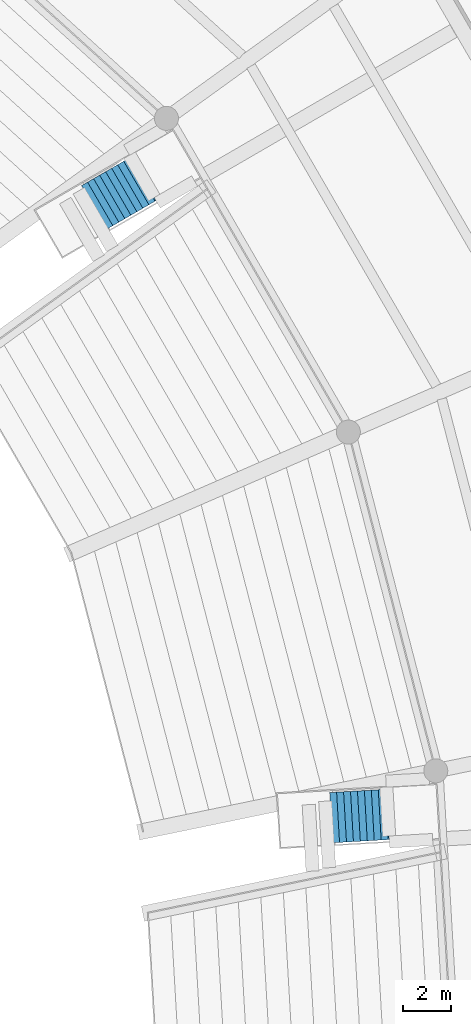
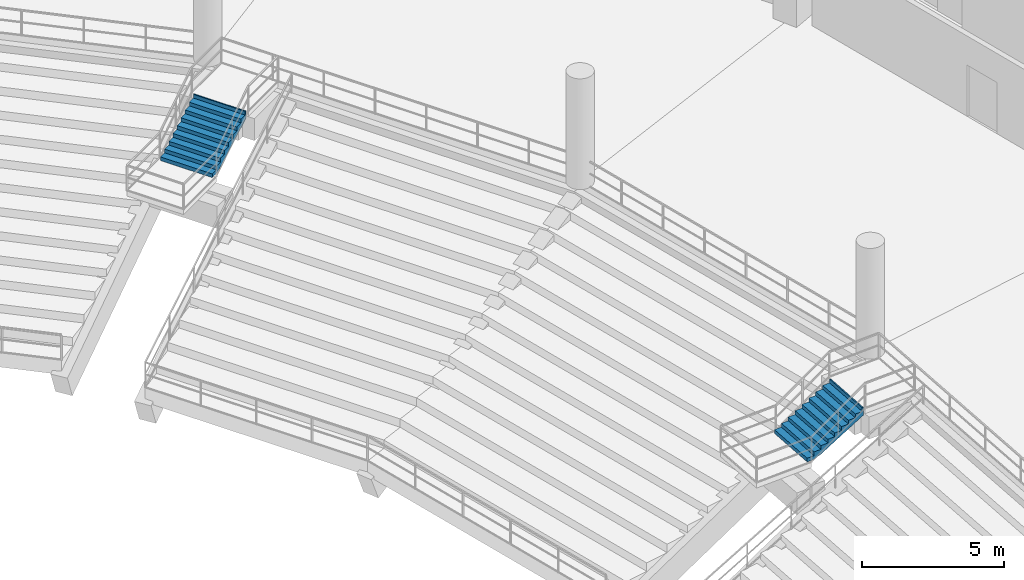
# One storey, part 129 of 156: 2 stair flights, 2 elements without a shape of their own.
"""IFC4 building model written with IfcOpenShell, lengths in metres."""

from ifc_helpers import new_model, si_unit, direction, frame, origin, place, context, subcontext, project, spatial, polygons, material, type_object, element, aggregate, save


model = new_model("IFC4")

# Units and contexts
model_context = context("Model", 3, precision=1e-05, world=origin(), true_north=direction((0.0, 1.0)))
body_context = subcontext(model_context, "Body", "Model", "MODEL_VIEW")
ifc_project = project(units=[si_unit("LENGTHUNIT", "METRE"), si_unit("AREAUNIT", "SQUARE_METRE"), si_unit("VOLUMEUNIT", "CUBIC_METRE"), si_unit("PLANEANGLEUNIT", "RADIAN"), si_unit("MASSUNIT", "GRAM", prefix="KILO")], contexts=[model_context])

# Site, building, storey
site_placement = place(None, origin())
site = spatial("IfcSite", under=ifc_project, at=site_placement, CompositionType="ELEMENT")
building_placement = place(site_placement, origin())
building = spatial("IfcBuilding", under=site, at=building_placement, Name="Kazemori Nagisa Stadium", CompositionType="ELEMENT")
storey_placement = place(building_placement, frame((0.0, 0.0, 5.780029296875)))
storey = spatial("IfcBuildingStorey", under=building, at=storey_placement, Name="L01", CompositionType="ELEMENT", Elevation=5.780029296875)

# Stair, stair flight
ifc_material = material(Name="Concrete C36/45 (Fc36)", Category="concrete")
stair_type = type_object("IfcStairType", Name="Stair_VOM_VL", PredefinedType="STRAIGHT_RUN_STAIR", material=ifc_material)
stair_1_placement = place(storey_placement, origin())
stair_1 = element("IfcStair", 1, at=stair_1_placement, inside=storey, type_object=stair_type, Name="Vomitory stair lower VL01", PredefinedType="STRAIGHT_RUN_STAIR")
stair_flight_type = type_object("IfcStairFlightType", Name="Flight_VOM_VL", PredefinedType="STRAIGHT", material=ifc_material)
stair_flight_1_placement = place(storey_placement, frame((187.168212890625, 114.20556640625, -1.43994140625), z_axis=(0.0, 0.0, 1.0), x_axis=(0.998335866434, 0.057667129209, 0.0)))
stair_flight_1 = element("IfcStairFlight", 2, at=stair_flight_1_placement, type_object=stair_flight_type, Name="Vomitory stair lower VL01 flight", NumberOfRisers=9, NumberOfTreads=8, PredefinedType="STRAIGHT", RiserHeight=0.16, TreadLength=0.29, context=body_context, shape_type="Tessellation", body=[
    polygons([(0.0, -1.050048828125, 0.0), (0.0, -1.050048828125, 0.159912109375), (0.2900390625, -1.050048828125, 0.159912109375), (0.2900390625, -1.050048828125, 0.320068359375), (0.580078125, -1.050048828125, 0.320068359375), (0.580078125, -1.050048828125, 0.47998046875), (0.8701171875, -1.050048828125, 0.47998046875), (0.8701171875, -1.050048828125, 0.639892578125), (1.159912109375, -1.050048828125, 0.639892578125), (1.159912109375, -1.050048828125, 0.800048828125), (1.449951171875, -1.050048828125, 0.800048828125), (1.449951171875, -1.050048828125, 0.9599609375), (1.739990234375, -1.050048828125, 0.9599609375), (1.739990234375, -1.050048828125, 1.1201171875), (2.030029296875, -1.050048828125, 1.1201171875), (2.030029296875, -1.050048828125, 1.280029296875), (2.320068359375, -1.050048828125, 1.280029296875), (2.320068359375, -1.050048828125, 1.43994140625), (2.3701171875, -1.050048828125, 1.43994140625), (2.3701171875, -1.050048828125, 1.10205078125), (2.320068359375, -1.050048828125, 1.074462890625), (2.030029296875, -1.050048828125, 0.91455078125), (1.739990234375, -1.050048828125, 0.75439453125), (1.449951171875, -1.050048828125, 0.594482421875), (1.159912109375, -1.050048828125, 0.4345703125), (0.8701171875, -1.050048828125, 0.2744140625), (0.580078125, -1.050048828125, 0.114501953125), (0.2900390625, -1.050048828125, 0.0), (0.0, -0.06298828125, 0.0), (0.0, -0.06298828125, 0.159912109375), (0.2900390625, -0.06298828125, 0.159912109375), (0.2900390625, -0.06298828125, 0.320068359375), (0.580078125, -0.06298828125, 0.320068359375), (0.580078125, -0.06298828125, 0.47998046875), (0.8701171875, -0.06298828125, 0.47998046875), (0.8701171875, -0.06298828125, 0.639892578125), (1.159912109375, -0.06298828125, 0.639892578125), (1.159912109375, -0.06298828125, 0.800048828125), (1.449951171875, -0.06298828125, 0.800048828125), (1.449951171875, -0.06298828125, 0.9599609375), (1.739990234375, -0.06298828125, 0.9599609375), (1.739990234375, -0.06298828125, 1.1201171875), (2.030029296875, -0.06298828125, 1.1201171875), (2.030029296875, -0.06298828125, 1.280029296875), (2.320068359375, -0.06298828125, 1.280029296875), (2.320068359375, -0.06298828125, 1.43994140625), (2.3701171875, -0.06298828125, 1.43994140625), (2.3701171875, -0.06298828125, 1.10205078125), (2.320068359375, -0.06298828125, 1.074462890625), (2.030029296875, -0.06298828125, 0.91455078125), (1.739990234375, -0.06298828125, 0.75439453125), (1.449951171875, -0.06298828125, 0.594482421875), (1.159912109375, -0.06298828125, 0.4345703125), (0.8701171875, -0.06298828125, 0.2744140625), (0.580078125, -0.06298828125, 0.114501953125), (0.2900390625, -0.06298828125, 0.0), (0.0, 0.0, 0.0), (0.0, 0.0, 0.159912109375), (0.2900390625, 0.0, 0.159912109375), (0.2900390625, 0.0, 0.320068359375), (0.580078125, 0.0, 0.320068359375), (0.580078125, 0.0, 0.47998046875), (0.8701171875, 0.0, 0.47998046875), (0.8701171875, 0.0, 0.639892578125), (1.159912109375, 0.0, 0.639892578125), (1.159912109375, 0.0, 0.800048828125), (1.449951171875, 0.0, 0.800048828125), (1.449951171875, 0.0, 0.9599609375), (1.739990234375, 0.0, 0.9599609375), (1.739990234375, 0.0, 1.1201171875), (2.030029296875, 0.0, 1.1201171875), (2.030029296875, 0.0, 1.280029296875), (2.320068359375, 0.0, 1.280029296875), (2.320068359375, 0.0, 1.43994140625), (2.3701171875, 0.0, 1.43994140625), (2.3701171875, 0.0, 1.10205078125), (2.320068359375, 0.0, 1.074462890625), (2.030029296875, 0.0, 0.91455078125), (1.739990234375, 0.0, 0.75439453125), (1.449951171875, 0.0, 0.594482421875), (1.159912109375, 0.0, 0.4345703125), (0.8701171875, 0.0, 0.2744140625), (0.580078125, 0.0, 0.114501953125), (0.2900390625, 0.0, 0.0), (0.0, 0.06298828125, 0.0), (0.0, 0.06298828125, 0.159912109375), (0.2900390625, 0.06298828125, 0.159912109375), (0.2900390625, 0.06298828125, 0.320068359375), (0.580078125, 0.06298828125, 0.320068359375), (0.580078125, 0.06298828125, 0.47998046875), (0.8701171875, 0.06298828125, 0.47998046875), (0.8701171875, 0.06298828125, 0.639892578125), (1.159912109375, 0.06298828125, 0.639892578125), (1.159912109375, 0.06298828125, 0.800048828125), (1.449951171875, 0.06298828125, 0.800048828125), (1.449951171875, 0.06298828125, 0.9599609375), (1.739990234375, 0.06298828125, 0.9599609375), (1.739990234375, 0.06298828125, 1.1201171875), (2.030029296875, 0.06298828125, 1.1201171875), (2.030029296875, 0.06298828125, 1.280029296875), (2.320068359375, 0.06298828125, 1.280029296875), (2.320068359375, 0.06298828125, 1.43994140625), (2.3701171875, 0.06298828125, 1.43994140625), (2.3701171875, 0.06298828125, 1.10205078125), (2.320068359375, 0.06298828125, 1.074462890625), (2.030029296875, 0.06298828125, 0.91455078125), (1.739990234375, 0.06298828125, 0.75439453125), (1.449951171875, 0.06298828125, 0.594482421875), (1.159912109375, 0.06298828125, 0.4345703125), (0.8701171875, 0.06298828125, 0.2744140625), (0.580078125, 0.06298828125, 0.114501953125), (0.2900390625, 0.06298828125, 0.0), (0.0, 1.050048828125, 0.0), (0.0, 1.050048828125, 0.159912109375), (0.2900390625, 1.050048828125, 0.159912109375), (0.2900390625, 1.050048828125, 0.320068359375), (0.580078125, 1.050048828125, 0.320068359375), (0.580078125, 1.050048828125, 0.47998046875), (0.8701171875, 1.050048828125, 0.47998046875), (0.8701171875, 1.050048828125, 0.639892578125), (1.159912109375, 1.050048828125, 0.639892578125), (1.159912109375, 1.050048828125, 0.800048828125), (1.449951171875, 1.050048828125, 0.800048828125), (1.449951171875, 1.050048828125, 0.9599609375), (1.739990234375, 1.050048828125, 0.9599609375), (1.739990234375, 1.050048828125, 1.1201171875), (2.030029296875, 1.050048828125, 1.1201171875), (2.030029296875, 1.050048828125, 1.280029296875), (2.320068359375, 1.050048828125, 1.280029296875), (2.320068359375, 1.050048828125, 1.43994140625), (2.3701171875, 1.050048828125, 1.43994140625), (2.3701171875, 1.050048828125, 1.10205078125), (2.320068359375, 1.050048828125, 1.074462890625), (2.030029296875, 1.050048828125, 0.91455078125), (1.739990234375, 1.050048828125, 0.75439453125), (1.449951171875, 1.050048828125, 0.594482421875), (1.159912109375, 1.050048828125, 0.4345703125), (0.8701171875, 1.050048828125, 0.2744140625), (0.580078125, 1.050048828125, 0.114501953125), (0.2900390625, 1.050048828125, 0.0)], [[[1, 2, 30]], [[1, 30, 29]], [[2, 3, 31]], [[2, 31, 30]], [[3, 4, 32]], [[3, 32, 31]], [[4, 5, 33]], [[4, 33, 32]], [[5, 6, 34]], [[5, 34, 33]], [[6, 7, 35]], [[6, 35, 34]], [[7, 8, 36]], [[7, 36, 35]], [[8, 9, 37]], [[8, 37, 36]], [[9, 10, 38]], [[9, 38, 37]], [[10, 11, 39]], [[10, 39, 38]], [[11, 12, 40]], [[11, 40, 39]], [[12, 13, 41]], [[12, 41, 40]], [[13, 14, 42]], [[13, 42, 41]], [[14, 15, 43]], [[14, 43, 42]], [[15, 16, 44]], [[15, 44, 43]], [[16, 17, 45]], [[16, 45, 44]], [[17, 18, 46]], [[17, 46, 45]], [[18, 19, 47]], [[18, 47, 46]], [[19, 20, 48]], [[19, 48, 47]], [[20, 21, 49]], [[20, 49, 48]], [[21, 22, 50]], [[21, 50, 49]], [[22, 23, 51]], [[22, 51, 50]], [[23, 24, 52]], [[23, 52, 51]], [[24, 25, 53]], [[24, 53, 52]], [[25, 26, 54]], [[25, 54, 53]], [[26, 27, 55]], [[26, 55, 54]], [[27, 28, 56]], [[27, 56, 55]], [[28, 1, 29]], [[28, 29, 56]], [[29, 30, 58]], [[29, 58, 57]], [[30, 31, 59]], [[30, 59, 58]], [[31, 32, 60]], [[31, 60, 59]], [[32, 33, 61]], [[32, 61, 60]], [[33, 34, 62]], [[33, 62, 61]], [[34, 35, 63]], [[34, 63, 62]], [[35, 36, 64]], [[35, 64, 63]], [[36, 37, 65]], [[36, 65, 64]], [[37, 38, 66]], [[37, 66, 65]], [[38, 39, 67]], [[38, 67, 66]], [[39, 40, 68]], [[39, 68, 67]], [[40, 41, 69]], [[40, 69, 68]], [[41, 42, 70]], [[41, 70, 69]], [[42, 43, 71]], [[42, 71, 70]], [[43, 44, 72]], [[43, 72, 71]], [[44, 45, 73]], [[44, 73, 72]], [[45, 46, 74]], [[45, 74, 73]], [[46, 47, 75]], [[46, 75, 74]], [[47, 48, 76]], [[47, 76, 75]], [[48, 49, 77]], [[48, 77, 76]], [[49, 50, 78]], [[49, 78, 77]], [[50, 51, 79]], [[50, 79, 78]], [[51, 52, 80]], [[51, 80, 79]], [[52, 53, 81]], [[52, 81, 80]], [[53, 54, 82]], [[53, 82, 81]], [[54, 55, 83]], [[54, 83, 82]], [[55, 56, 84]], [[55, 84, 83]], [[56, 29, 57]], [[56, 57, 84]], [[57, 58, 86]], [[57, 86, 85]], [[58, 59, 87]], [[58, 87, 86]], [[59, 60, 88]], [[59, 88, 87]], [[60, 61, 89]], [[60, 89, 88]], [[61, 62, 90]], [[61, 90, 89]], [[62, 63, 91]], [[62, 91, 90]], [[63, 64, 92]], [[63, 92, 91]], [[64, 65, 93]], [[64, 93, 92]], [[65, 66, 94]], [[65, 94, 93]], [[66, 67, 95]], [[66, 95, 94]], [[67, 68, 96]], [[67, 96, 95]], [[68, 69, 97]], [[68, 97, 96]], [[69, 70, 98]], [[69, 98, 97]], [[70, 71, 99]], [[70, 99, 98]], [[71, 72, 100]], [[71, 100, 99]], [[72, 73, 101]], [[72, 101, 100]], [[73, 74, 102]], [[73, 102, 101]], [[74, 75, 103]], [[74, 103, 102]], [[75, 76, 104]], [[75, 104, 103]], [[76, 77, 105]], [[76, 105, 104]], [[77, 78, 106]], [[77, 106, 105]], [[78, 79, 107]], [[78, 107, 106]], [[79, 80, 108]], [[79, 108, 107]], [[80, 81, 109]], [[80, 109, 108]], [[81, 82, 110]], [[81, 110, 109]], [[82, 83, 111]], [[82, 111, 110]], [[83, 84, 112]], [[83, 112, 111]], [[84, 57, 85]], [[84, 85, 112]], [[85, 86, 114]], [[85, 114, 113]], [[86, 87, 115]], [[86, 115, 114]], [[87, 88, 116]], [[87, 116, 115]], [[88, 89, 117]], [[88, 117, 116]], [[89, 90, 118]], [[89, 118, 117]], [[90, 91, 119]], [[90, 119, 118]], [[91, 92, 120]], [[91, 120, 119]], [[92, 93, 121]], [[92, 121, 120]], [[93, 94, 122]], [[93, 122, 121]], [[94, 95, 123]], [[94, 123, 122]], [[95, 96, 124]], [[95, 124, 123]], [[96, 97, 125]], [[96, 125, 124]], [[97, 98, 126]], [[97, 126, 125]], [[98, 99, 127]], [[98, 127, 126]], [[99, 100, 128]], [[99, 128, 127]], [[100, 101, 129]], [[100, 129, 128]], [[101, 102, 130]], [[101, 130, 129]], [[102, 103, 131]], [[102, 131, 130]], [[103, 104, 132]], [[103, 132, 131]], [[104, 105, 133]], [[104, 133, 132]], [[105, 106, 134]], [[105, 134, 133]], [[106, 107, 135]], [[106, 135, 134]], [[107, 108, 136]], [[107, 136, 135]], [[108, 109, 137]], [[108, 137, 136]], [[109, 110, 138]], [[109, 138, 137]], [[110, 111, 139]], [[110, 139, 138]], [[111, 112, 140]], [[111, 140, 139]], [[112, 85, 113]], [[112, 113, 140]], [[3, 2, 1]], [[113, 114, 115]], [[28, 3, 1]], [[113, 115, 140]], [[27, 3, 28]], [[140, 115, 139]], [[5, 3, 27]], [[139, 115, 117]], [[5, 4, 3]], [[115, 116, 117]], [[26, 5, 27]], [[139, 117, 138]], [[7, 5, 26]], [[138, 117, 119]], [[7, 6, 5]], [[117, 118, 119]], [[25, 7, 26]], [[138, 119, 137]], [[9, 7, 25]], [[137, 119, 121]], [[9, 8, 7]], [[119, 120, 121]], [[24, 9, 25]], [[137, 121, 136]], [[11, 9, 24]], [[136, 121, 123]], [[11, 10, 9]], [[121, 122, 123]], [[23, 11, 24]], [[136, 123, 135]], [[13, 11, 23]], [[135, 123, 125]], [[13, 12, 11]], [[123, 124, 125]], [[22, 13, 23]], [[135, 125, 134]], [[15, 13, 22]], [[134, 125, 127]], [[15, 14, 13]], [[125, 126, 127]], [[21, 15, 22]], [[134, 127, 133]], [[17, 15, 21]], [[133, 127, 129]], [[17, 16, 15]], [[127, 128, 129]], [[20, 17, 21]], [[133, 129, 132]], [[19, 17, 20]], [[132, 129, 131]], [[19, 18, 17]], [[129, 130, 131]]], closed=True),
])
aggregate(stair_1, [stair_flight_1])

stair_2_placement = place(storey_placement, origin())
stair_2 = element("IfcStair", 3, at=stair_2_placement, inside=storey, type_object=stair_type, Name="Vomitory stair lower VL02", PredefinedType="STRAIGHT_RUN_STAIR")
stair_flight_2_placement = place(storey_placement, frame((177.287353515625, 139.654541015625, -1.43994140625), z_axis=(0.0, 0.0, 1.0), x_axis=(0.865085074212, 0.501625173187, 0.0)))
stair_flight_2 = element("IfcStairFlight", 4, at=stair_flight_2_placement, type_object=stair_flight_type, Name="Vomitory stair lower VL02 flight", NumberOfRisers=9, NumberOfTreads=8, PredefinedType="STRAIGHT", RiserHeight=0.16, TreadLength=0.29, context=body_context, shape_type="Tessellation", body=[
    polygons([(0.0, -1.050048828125, 0.0), (0.0, -1.050048828125, 0.159912109375), (0.2900390625, -1.050048828125, 0.159912109375), (0.2900390625, -1.050048828125, 0.320068359375), (0.580078125, -1.050048828125, 0.320068359375), (0.580078125, -1.050048828125, 0.47998046875), (0.8701171875, -1.050048828125, 0.47998046875), (0.8701171875, -1.050048828125, 0.639892578125), (1.159912109375, -1.050048828125, 0.639892578125), (1.159912109375, -1.050048828125, 0.800048828125), (1.449951171875, -1.050048828125, 0.800048828125), (1.449951171875, -1.050048828125, 0.9599609375), (1.739990234375, -1.050048828125, 0.9599609375), (1.739990234375, -1.050048828125, 1.1201171875), (2.030029296875, -1.050048828125, 1.1201171875), (2.030029296875, -1.050048828125, 1.280029296875), (2.320068359375, -1.050048828125, 1.280029296875), (2.320068359375, -1.050048828125, 1.43994140625), (2.3701171875, -1.050048828125, 1.43994140625), (2.3701171875, -1.050048828125, 1.10205078125), (2.320068359375, -1.050048828125, 1.074462890625), (2.030029296875, -1.050048828125, 0.91455078125), (1.739990234375, -1.050048828125, 0.75439453125), (1.449951171875, -1.050048828125, 0.594482421875), (1.159912109375, -1.050048828125, 0.4345703125), (0.8701171875, -1.050048828125, 0.2744140625), (0.580078125, -1.050048828125, 0.114501953125), (0.2900390625, -1.050048828125, 0.0), (0.0, -0.06298828125, 0.0), (0.0, -0.06298828125, 0.159912109375), (0.2900390625, -0.06298828125, 0.159912109375), (0.2900390625, -0.06298828125, 0.320068359375), (0.580078125, -0.06298828125, 0.320068359375), (0.580078125, -0.06298828125, 0.47998046875), (0.8701171875, -0.06298828125, 0.47998046875), (0.8701171875, -0.06298828125, 0.639892578125), (1.159912109375, -0.06298828125, 0.639892578125), (1.159912109375, -0.06298828125, 0.800048828125), (1.449951171875, -0.06298828125, 0.800048828125), (1.449951171875, -0.06298828125, 0.9599609375), (1.739990234375, -0.06298828125, 0.9599609375), (1.739990234375, -0.06298828125, 1.1201171875), (2.030029296875, -0.06298828125, 1.1201171875), (2.030029296875, -0.06298828125, 1.280029296875), (2.320068359375, -0.06298828125, 1.280029296875), (2.320068359375, -0.06298828125, 1.43994140625), (2.3701171875, -0.06298828125, 1.43994140625), (2.3701171875, -0.06298828125, 1.10205078125), (2.320068359375, -0.06298828125, 1.074462890625), (2.030029296875, -0.06298828125, 0.91455078125), (1.739990234375, -0.06298828125, 0.75439453125), (1.449951171875, -0.06298828125, 0.594482421875), (1.159912109375, -0.06298828125, 0.4345703125), (0.8701171875, -0.06298828125, 0.2744140625), (0.580078125, -0.06298828125, 0.114501953125), (0.2900390625, -0.06298828125, 0.0), (0.0, 0.0, 0.0), (0.0, 0.0, 0.159912109375), (0.2900390625, 0.0, 0.159912109375), (0.2900390625, 0.0, 0.320068359375), (0.580078125, 0.0, 0.320068359375), (0.580078125, 0.0, 0.47998046875), (0.8701171875, 0.0, 0.47998046875), (0.8701171875, 0.0, 0.639892578125), (1.159912109375, 0.0, 0.639892578125), (1.159912109375, 0.0, 0.800048828125), (1.449951171875, 0.0, 0.800048828125), (1.449951171875, 0.0, 0.9599609375), (1.739990234375, 0.0, 0.9599609375), (1.739990234375, 0.0, 1.1201171875), (2.030029296875, 0.0, 1.1201171875), (2.030029296875, 0.0, 1.280029296875), (2.320068359375, 0.0, 1.280029296875), (2.320068359375, 0.0, 1.43994140625), (2.3701171875, 0.0, 1.43994140625), (2.3701171875, 0.0, 1.10205078125), (2.320068359375, 0.0, 1.074462890625), (2.030029296875, 0.0, 0.91455078125), (1.739990234375, 0.0, 0.75439453125), (1.449951171875, 0.0, 0.594482421875), (1.159912109375, 0.0, 0.4345703125), (0.8701171875, 0.0, 0.2744140625), (0.580078125, 0.0, 0.114501953125), (0.2900390625, 0.0, 0.0), (0.0, 0.06298828125, 0.0), (0.0, 0.06298828125, 0.159912109375), (0.2900390625, 0.06298828125, 0.159912109375), (0.2900390625, 0.06298828125, 0.320068359375), (0.580078125, 0.06298828125, 0.320068359375), (0.580078125, 0.06298828125, 0.47998046875), (0.8701171875, 0.06298828125, 0.47998046875), (0.8701171875, 0.06298828125, 0.639892578125), (1.159912109375, 0.06298828125, 0.639892578125), (1.159912109375, 0.06298828125, 0.800048828125), (1.449951171875, 0.06298828125, 0.800048828125), (1.449951171875, 0.06298828125, 0.9599609375), (1.739990234375, 0.06298828125, 0.9599609375), (1.739990234375, 0.06298828125, 1.1201171875), (2.030029296875, 0.06298828125, 1.1201171875), (2.030029296875, 0.06298828125, 1.280029296875), (2.320068359375, 0.06298828125, 1.280029296875), (2.320068359375, 0.06298828125, 1.43994140625), (2.3701171875, 0.06298828125, 1.43994140625), (2.3701171875, 0.06298828125, 1.10205078125), (2.320068359375, 0.06298828125, 1.074462890625), (2.030029296875, 0.06298828125, 0.91455078125), (1.739990234375, 0.06298828125, 0.75439453125), (1.449951171875, 0.06298828125, 0.594482421875), (1.159912109375, 0.06298828125, 0.4345703125), (0.8701171875, 0.06298828125, 0.2744140625), (0.580078125, 0.06298828125, 0.114501953125), (0.2900390625, 0.06298828125, 0.0), (0.0, 1.050048828125, 0.0), (0.0, 1.050048828125, 0.159912109375), (0.2900390625, 1.050048828125, 0.159912109375), (0.2900390625, 1.050048828125, 0.320068359375), (0.580078125, 1.050048828125, 0.320068359375), (0.580078125, 1.050048828125, 0.47998046875), (0.8701171875, 1.050048828125, 0.47998046875), (0.8701171875, 1.050048828125, 0.639892578125), (1.159912109375, 1.050048828125, 0.639892578125), (1.159912109375, 1.050048828125, 0.800048828125), (1.449951171875, 1.050048828125, 0.800048828125), (1.449951171875, 1.050048828125, 0.9599609375), (1.739990234375, 1.050048828125, 0.9599609375), (1.739990234375, 1.050048828125, 1.1201171875), (2.030029296875, 1.050048828125, 1.1201171875), (2.030029296875, 1.050048828125, 1.280029296875), (2.320068359375, 1.050048828125, 1.280029296875), (2.320068359375, 1.050048828125, 1.43994140625), (2.3701171875, 1.050048828125, 1.43994140625), (2.3701171875, 1.050048828125, 1.10205078125), (2.320068359375, 1.050048828125, 1.074462890625), (2.030029296875, 1.050048828125, 0.91455078125), (1.739990234375, 1.050048828125, 0.75439453125), (1.449951171875, 1.050048828125, 0.594482421875), (1.159912109375, 1.050048828125, 0.4345703125), (0.8701171875, 1.050048828125, 0.2744140625), (0.580078125, 1.050048828125, 0.114501953125), (0.2900390625, 1.050048828125, 0.0)], [[[1, 2, 30]], [[1, 30, 29]], [[2, 3, 31]], [[2, 31, 30]], [[3, 4, 32]], [[3, 32, 31]], [[4, 5, 33]], [[4, 33, 32]], [[5, 6, 34]], [[5, 34, 33]], [[6, 7, 35]], [[6, 35, 34]], [[7, 8, 36]], [[7, 36, 35]], [[8, 9, 37]], [[8, 37, 36]], [[9, 10, 38]], [[9, 38, 37]], [[10, 11, 39]], [[10, 39, 38]], [[11, 12, 40]], [[11, 40, 39]], [[12, 13, 41]], [[12, 41, 40]], [[13, 14, 42]], [[13, 42, 41]], [[14, 15, 43]], [[14, 43, 42]], [[15, 16, 44]], [[15, 44, 43]], [[16, 17, 45]], [[16, 45, 44]], [[17, 18, 46]], [[17, 46, 45]], [[18, 19, 47]], [[18, 47, 46]], [[19, 20, 48]], [[19, 48, 47]], [[20, 21, 49]], [[20, 49, 48]], [[21, 22, 50]], [[21, 50, 49]], [[22, 23, 51]], [[22, 51, 50]], [[23, 24, 52]], [[23, 52, 51]], [[24, 25, 53]], [[24, 53, 52]], [[25, 26, 54]], [[25, 54, 53]], [[26, 27, 55]], [[26, 55, 54]], [[27, 28, 56]], [[27, 56, 55]], [[28, 1, 29]], [[28, 29, 56]], [[29, 30, 58]], [[29, 58, 57]], [[30, 31, 59]], [[30, 59, 58]], [[31, 32, 60]], [[31, 60, 59]], [[32, 33, 61]], [[32, 61, 60]], [[33, 34, 62]], [[33, 62, 61]], [[34, 35, 63]], [[34, 63, 62]], [[35, 36, 64]], [[35, 64, 63]], [[36, 37, 65]], [[36, 65, 64]], [[37, 38, 66]], [[37, 66, 65]], [[38, 39, 67]], [[38, 67, 66]], [[39, 40, 68]], [[39, 68, 67]], [[40, 41, 69]], [[40, 69, 68]], [[41, 42, 70]], [[41, 70, 69]], [[42, 43, 71]], [[42, 71, 70]], [[43, 44, 72]], [[43, 72, 71]], [[44, 45, 73]], [[44, 73, 72]], [[45, 46, 74]], [[45, 74, 73]], [[46, 47, 75]], [[46, 75, 74]], [[47, 48, 76]], [[47, 76, 75]], [[48, 49, 77]], [[48, 77, 76]], [[49, 50, 78]], [[49, 78, 77]], [[50, 51, 79]], [[50, 79, 78]], [[51, 52, 80]], [[51, 80, 79]], [[52, 53, 81]], [[52, 81, 80]], [[53, 54, 82]], [[53, 82, 81]], [[54, 55, 83]], [[54, 83, 82]], [[55, 56, 84]], [[55, 84, 83]], [[56, 29, 57]], [[56, 57, 84]], [[57, 58, 86]], [[57, 86, 85]], [[58, 59, 87]], [[58, 87, 86]], [[59, 60, 88]], [[59, 88, 87]], [[60, 61, 89]], [[60, 89, 88]], [[61, 62, 90]], [[61, 90, 89]], [[62, 63, 91]], [[62, 91, 90]], [[63, 64, 92]], [[63, 92, 91]], [[64, 65, 93]], [[64, 93, 92]], [[65, 66, 94]], [[65, 94, 93]], [[66, 67, 95]], [[66, 95, 94]], [[67, 68, 96]], [[67, 96, 95]], [[68, 69, 97]], [[68, 97, 96]], [[69, 70, 98]], [[69, 98, 97]], [[70, 71, 99]], [[70, 99, 98]], [[71, 72, 100]], [[71, 100, 99]], [[72, 73, 101]], [[72, 101, 100]], [[73, 74, 102]], [[73, 102, 101]], [[74, 75, 103]], [[74, 103, 102]], [[75, 76, 104]], [[75, 104, 103]], [[76, 77, 105]], [[76, 105, 104]], [[77, 78, 106]], [[77, 106, 105]], [[78, 79, 107]], [[78, 107, 106]], [[79, 80, 108]], [[79, 108, 107]], [[80, 81, 109]], [[80, 109, 108]], [[81, 82, 110]], [[81, 110, 109]], [[82, 83, 111]], [[82, 111, 110]], [[83, 84, 112]], [[83, 112, 111]], [[84, 57, 85]], [[84, 85, 112]], [[85, 86, 114]], [[85, 114, 113]], [[86, 87, 115]], [[86, 115, 114]], [[87, 88, 116]], [[87, 116, 115]], [[88, 89, 117]], [[88, 117, 116]], [[89, 90, 118]], [[89, 118, 117]], [[90, 91, 119]], [[90, 119, 118]], [[91, 92, 120]], [[91, 120, 119]], [[92, 93, 121]], [[92, 121, 120]], [[93, 94, 122]], [[93, 122, 121]], [[94, 95, 123]], [[94, 123, 122]], [[95, 96, 124]], [[95, 124, 123]], [[96, 97, 125]], [[96, 125, 124]], [[97, 98, 126]], [[97, 126, 125]], [[98, 99, 127]], [[98, 127, 126]], [[99, 100, 128]], [[99, 128, 127]], [[100, 101, 129]], [[100, 129, 128]], [[101, 102, 130]], [[101, 130, 129]], [[102, 103, 131]], [[102, 131, 130]], [[103, 104, 132]], [[103, 132, 131]], [[104, 105, 133]], [[104, 133, 132]], [[105, 106, 134]], [[105, 134, 133]], [[106, 107, 135]], [[106, 135, 134]], [[107, 108, 136]], [[107, 136, 135]], [[108, 109, 137]], [[108, 137, 136]], [[109, 110, 138]], [[109, 138, 137]], [[110, 111, 139]], [[110, 139, 138]], [[111, 112, 140]], [[111, 140, 139]], [[112, 85, 113]], [[112, 113, 140]], [[3, 2, 1]], [[113, 114, 115]], [[28, 3, 1]], [[113, 115, 140]], [[27, 3, 28]], [[140, 115, 139]], [[5, 3, 27]], [[139, 115, 117]], [[5, 4, 3]], [[115, 116, 117]], [[26, 5, 27]], [[139, 117, 138]], [[7, 5, 26]], [[138, 117, 119]], [[7, 6, 5]], [[117, 118, 119]], [[25, 7, 26]], [[138, 119, 137]], [[9, 7, 25]], [[137, 119, 121]], [[9, 8, 7]], [[119, 120, 121]], [[24, 9, 25]], [[137, 121, 136]], [[11, 9, 24]], [[136, 121, 123]], [[11, 10, 9]], [[121, 122, 123]], [[23, 11, 24]], [[136, 123, 135]], [[13, 11, 23]], [[135, 123, 125]], [[13, 12, 11]], [[123, 124, 125]], [[22, 13, 23]], [[135, 125, 134]], [[15, 13, 22]], [[134, 125, 127]], [[15, 14, 13]], [[125, 126, 127]], [[21, 15, 22]], [[134, 127, 133]], [[17, 15, 21]], [[133, 127, 129]], [[17, 16, 15]], [[127, 128, 129]], [[20, 17, 21]], [[133, 129, 132]], [[19, 17, 20]], [[132, 129, 131]], [[19, 18, 17]], [[129, 130, 131]]], closed=True),
])
aggregate(stair_2, [stair_flight_2])

save(model, "model.ifc")
